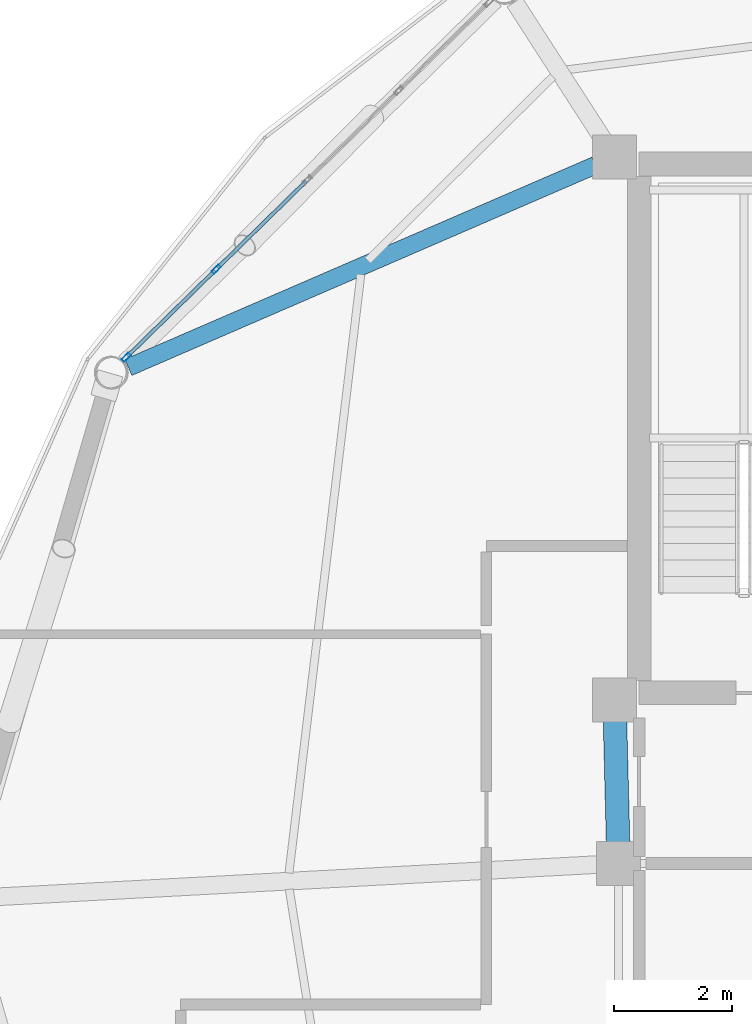
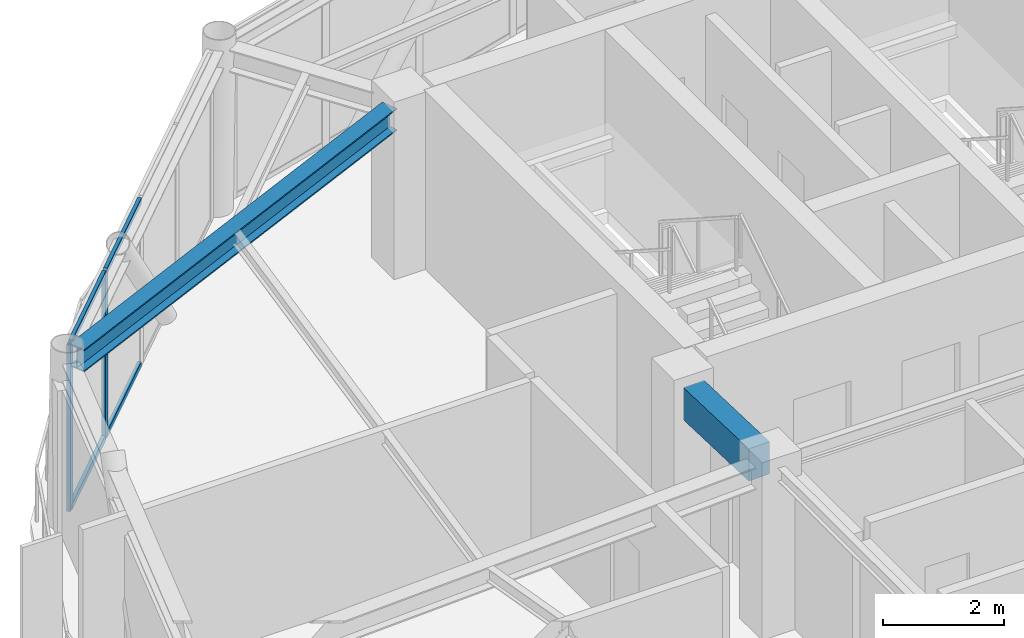
# One storey, part 11 of 25: 6 members, 2 beams, 1 element without a shape of its own.
"""IFC4 building model written with IfcOpenShell, lengths in metres."""

from ifc_helpers import new_model, si_unit, direction, frame, origin, origin_2d, place, context, subcontext, project, spatial, rectangle, hollow_rectangle, i_section, extrude, material, layer, layer_set, material_profile, profile_set, type_object, element, aggregate, save


model = new_model("IFC4")

# Units and contexts
model_context = context("Model", 3, precision=1e-05, world=origin(), true_north=direction((0.0, 1.0)))
body_context = subcontext(model_context, "Body", "Model", "MODEL_VIEW")
ifc_project = project(units=[si_unit("LENGTHUNIT", "METRE"), si_unit("AREAUNIT", "SQUARE_METRE"), si_unit("VOLUMEUNIT", "CUBIC_METRE"), si_unit("PLANEANGLEUNIT", "RADIAN"), si_unit("MASSUNIT", "GRAM", prefix="KILO")], contexts=[model_context])

# Site, building, storey
site_placement = place(None, origin())
site = spatial("IfcSite", under=ifc_project, at=site_placement, CompositionType="ELEMENT")
building_placement = place(site_placement, origin())
building = spatial("IfcBuilding", under=site, at=building_placement, Name="Varnakorn Sky Granary", CompositionType="ELEMENT")
storey_placement = place(building_placement, frame((0.0, 0.0, 252.60009765625)))
storey = spatial("IfcBuildingStorey", under=building, at=storey_placement, Name="L64", CompositionType="ELEMENT", Elevation=252.60009765625)

# Beams
ifc_material_1 = material(Name="Concrete C50/60", Category="concrete")
ifc_material_profile_1 = material_profile(ifc_material_1, rectangle(XDim=0.39990234375, YDim=0.64990234375, at=origin_2d()), Name="RC 400x650")
ifc_profile_set_1 = profile_set([ifc_material_profile_1], Name="Concrete C50/60")
beam_type_1 = type_object("IfcBeamType", Name="BM-LIN-650", PredefinedType="LINTEL", material=ifc_profile_set_1)
beam_1_placement = place(storey_placement, frame((-2.4111328125, 3.025146484375, 3.034912109375), z_axis=(0.025227817192, -0.999681727971, 0.0), x_axis=(0.999681727971, 0.025227817192, 0.0)))
element("IfcBeam", 1, at=beam_1_placement, inside=storey, type_object=beam_type_1, Name="Core Spine Framing Beam 1 L64", PredefinedType="LINTEL", context=body_context, shape_type="SweptSolid", body=[
    extrude(rectangle(XDim=0.39990234375, YDim=0.64990234375, at=origin_2d()), origin(), (0.0, 0.0, 1.0), 2.071044921875),
])
ifc_material_2 = material(Name="Steel S355JR", Category="steel")
ifc_material_profile_2 = material_profile(ifc_material_2, i_section(OverallWidth=0.300048828125, OverallDepth=0.449951171875, WebThickness=0.013916015625, FlangeThickness=0.02587890625, at=origin_2d()), Name="HE 450 B")
ifc_profile_set_2 = profile_set([ifc_material_profile_2], Name="Steel S355JR")
beam_type_2 = type_object("IfcBeamType", Name="BM-RAD-Z5", PredefinedType="BEAM", material=ifc_profile_set_2)
beam_2_placement = place(storey_placement, frame((-2.745849609375, 12.47900390625, 3.135009765625), z_axis=(-0.917715365378, -0.39723860355, 0.0), x_axis=(0.39723860355, -0.917715365378, 0.0)))
element("IfcBeam", 2, at=beam_2_placement, inside=storey, type_object=beam_type_2, Name="Radial Floor Girder RG06 L64", PredefinedType="BEAM", context=body_context, shape_type="SweptSolid", body=[
    extrude(i_section(OverallWidth=0.300048828125, OverallDepth=0.449951171875, WebThickness=0.013916015625, FlangeThickness=0.02587890625, at=origin_2d()), origin(), (0.0, 0.0, 1.0), 8.6572265625),
])

# Curtain wall, members
ifc_material_3 = material(Name="Anodised Bronze Aluminium Alloy 6063-T6", Category="aluminium")
ifc_layer = layer(ifc_material_3, 0.159912109375, Name="Anodised Bronze Aluminium Alloy 6063-T6")
ifc_layer_set = layer_set([ifc_layer], Name="Anodised Bronze Aluminium Alloy 6063-T6")
curtain_wall_type = type_object("IfcCurtainWallType", Name="CW-OFF-1", PredefinedType="USERDEFINED", material=ifc_layer_set)
curtain_wall_placement = place(storey_placement, origin())
curtain_wall = element("IfcCurtainWall", 3, at=curtain_wall_placement, inside=storey, type_object=curtain_wall_type, Name="Unitised Curtain Wall CW6 CW-L64-B05", ObjectType="CURTAIN WALL", PredefinedType="USERDEFINED")
ifc_material_profile_3 = material_profile(ifc_material_3, hollow_rectangle(XDim=0.06494140625, YDim=0.159912109375, WallThickness=0.00341796875, at=origin_2d()), Name="ALU MULL 65x160")
ifc_profile_set_3 = profile_set([ifc_material_profile_3], Name="Anodised Bronze Aluminium Alloy 6063-T6")
member_type_1 = type_object("IfcMemberType", Name="CW-OFF-1-MULL", PredefinedType="MULLION", material=ifc_profile_set_3)
member_1_placement = place(storey_placement, frame((-10.7255859375, 9.212158203125, 0.0), z_axis=(0.0, 0.0, 1.0), x_axis=(-0.699482431072, 0.71464979439, 0.0)))
member_1 = element("IfcMember", 4, at=member_1_placement, type_object=member_type_1, Name="CW6 mullion 1", PredefinedType="MULLION", context=body_context, shape_type="SweptSolid", body=[
    extrude(hollow_rectangle(XDim=0.06494140625, YDim=0.159912109375, WallThickness=0.00341796875, at=origin_2d()), origin(), (0.0, 0.0, 1.0), 3.35986328125),
])
member_2_placement = place(storey_placement, frame((-9.1962890625, 10.708984375, 0.0), z_axis=(0.0, 0.0, 1.0), x_axis=(-0.699482431072, 0.71464979439, 0.0)))
member_2 = element("IfcMember", 5, at=member_2_placement, type_object=member_type_1, Name="CW6 mullion 2", PredefinedType="MULLION", context=body_context, shape_type="SweptSolid", body=[
    extrude(hollow_rectangle(XDim=0.06494140625, YDim=0.159912109375, WallThickness=0.00341796875, at=origin_2d()), origin(), (0.0, 0.0, 1.0), 3.35986328125),
])
ifc_material_profile_4 = material_profile(ifc_material_3, hollow_rectangle(XDim=0.06494140625, YDim=0.1201171875, WallThickness=0.00341796875, at=origin_2d()), Name="ALU TRAN 65x120")
ifc_profile_set_4 = profile_set([ifc_material_profile_4], Name="Anodised Bronze Aluminium Alloy 6063-T6")
member_type_2 = type_object("IfcMemberType", Name="CW-OFF-1-TRAN", PredefinedType="USERDEFINED", material=ifc_profile_set_4)
member_3_placement = place(storey_placement, frame((-10.7021484375, 9.23486328125, 0.032470703125), z_axis=(0.714597426936, 0.69953593004, 0.0), x_axis=(-0.69953593004, 0.714597426936, 0.0)))
member_3 = element("IfcMember", 6, at=member_3_placement, type_object=member_type_2, Name="CW6 transom 1.1", ObjectType="TRANSOM", PredefinedType="USERDEFINED", context=body_context, shape_type="SweptSolid", body=[
    extrude(hollow_rectangle(XDim=0.06494140625, YDim=0.1201171875, WallThickness=0.00341796875, at=origin_2d()), origin(), (0.0, 0.0, 1.0), 2.07470703125),
])
member_4_placement = place(storey_placement, frame((-10.7021484375, 9.23486328125, 3.327392578125), z_axis=(0.714597426936, 0.69953593004, 0.0), x_axis=(-0.69953593004, 0.714597426936, 0.0)))
member_4 = element("IfcMember", 7, at=member_4_placement, type_object=member_type_2, Name="CW6 transom 1.2", ObjectType="TRANSOM", PredefinedType="USERDEFINED", context=body_context, shape_type="SweptSolid", body=[
    extrude(hollow_rectangle(XDim=0.06494140625, YDim=0.1201171875, WallThickness=0.00341796875, at=origin_2d()), origin(), (0.0, 0.0, 1.0), 2.07470703125),
])
member_5_placement = place(storey_placement, frame((-9.1728515625, 10.731689453125, 0.032470703125), z_axis=(0.714597293426, 0.699536066424, 0.0), x_axis=(-0.699536066424, 0.714597293426, 0.0)))
member_5 = element("IfcMember", 8, at=member_5_placement, type_object=member_type_2, Name="CW6 transom 2.1", ObjectType="TRANSOM", PredefinedType="USERDEFINED", context=body_context, shape_type="SweptSolid", body=[
    extrude(hollow_rectangle(XDim=0.06494140625, YDim=0.1201171875, WallThickness=0.00341796875, at=origin_2d()), origin(), (0.0, 0.0, 1.0), 2.107177734375),
])
member_6_placement = place(storey_placement, frame((-9.1728515625, 10.731689453125, 3.327392578125), z_axis=(0.714597293426, 0.699536066424, 0.0), x_axis=(-0.699536066424, 0.714597293426, 0.0)))
member_6 = element("IfcMember", 9, at=member_6_placement, type_object=member_type_2, Name="CW6 transom 2.2", ObjectType="TRANSOM", PredefinedType="USERDEFINED", context=body_context, shape_type="SweptSolid", body=[
    extrude(hollow_rectangle(XDim=0.06494140625, YDim=0.1201171875, WallThickness=0.00341796875, at=origin_2d()), origin(), (0.0, 0.0, 1.0), 2.107177734375),
])
aggregate(curtain_wall, [member_1, member_2, member_3, member_4, member_5, member_6])

save(model, "model.ifc")
